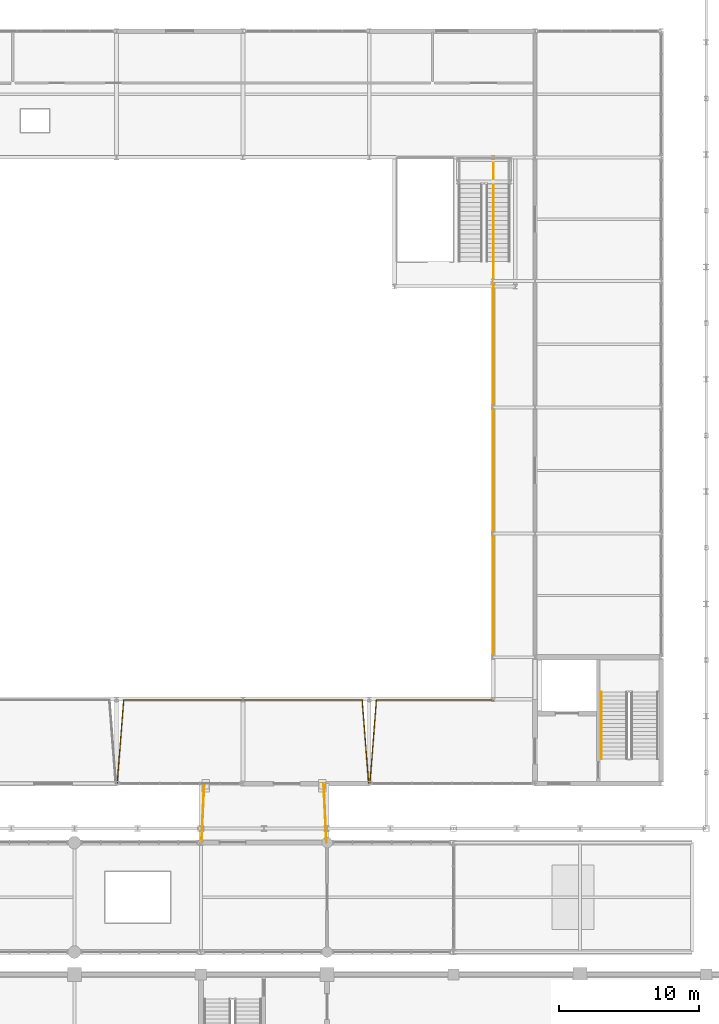
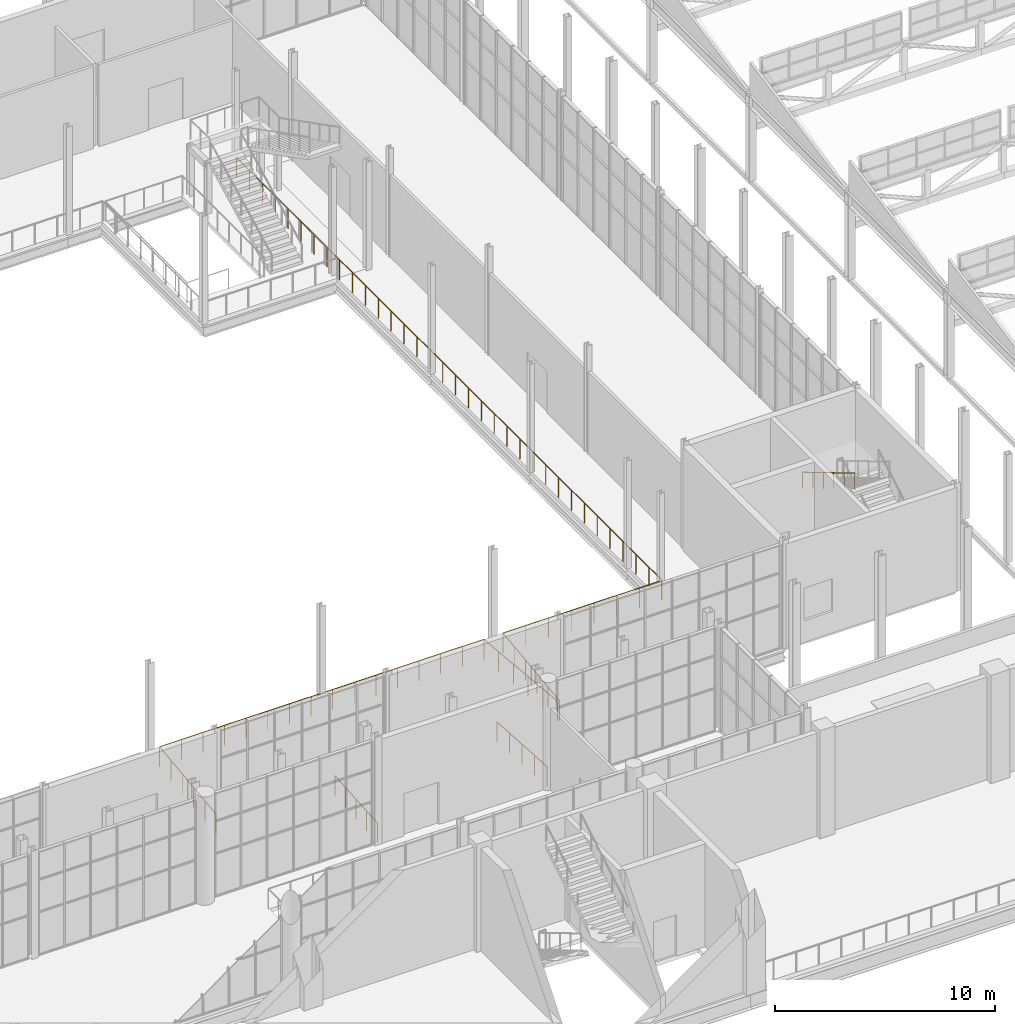
# One storey, part 156 of 159: 6 railings.
"""IFC4 building model written with IfcOpenShell, lengths in metres."""

from ifc_helpers import new_model, si_unit, direction, frame, origin, origin_2d, place, context, subcontext, project, spatial, circle, extrude, material, type_object, element, save


model = new_model("IFC4")

# Units and contexts
model_context = context("Model", 3, precision=1e-05, world=origin(), true_north=direction((0.0, 1.0)))
body_context = subcontext(model_context, "Body", "Model", "MODEL_VIEW")
ifc_project = project(units=[si_unit("LENGTHUNIT", "METRE"), si_unit("AREAUNIT", "SQUARE_METRE"), si_unit("VOLUMEUNIT", "CUBIC_METRE"), si_unit("PLANEANGLEUNIT", "RADIAN"), si_unit("MASSUNIT", "GRAM", prefix="KILO")], contexts=[model_context])

# Site, building, storey
site_placement = place(None, origin())
site = spatial("IfcSite", under=ifc_project, at=site_placement, CompositionType="ELEMENT")
building_placement = place(site_placement, origin())
building = spatial("IfcBuilding", under=site, at=building_placement, Name="Cazmaro Siding Exhibition Halls", CompositionType="ELEMENT")
storey_placement = place(building_placement, frame((0.0, 0.0, 6.0)))
storey = spatial("IfcBuildingStorey", under=building, at=storey_placement, Name="L01", CompositionType="ELEMENT", Elevation=6.0)

# Railings
ifc_material_1 = material(Name="Laminated Glass and Brushed Stainless Steel Balustrade", Category="steel")
railing_type_1 = type_object("IfcRailingType", Name="RL-BAL-01", PredefinedType="BALUSTRADE", material=ifc_material_1)
railing_1_placement = place(storey_placement, frame((135.050048828125, 63.0, 0.0)))
element("IfcRailing", 1, at=railing_1_placement, inside=storey, type_object=railing_type_1, Name="Bridge SB-02 West Guard L01 RL-BAL-01 RL-G021", PredefinedType="BALUSTRADE", context=body_context, shape_type="SweptSolid", body=[
    extrude(circle(Radius=0.02392578125, at=origin_2d()), frame((0.0, 0.0, 1.09619140625), z_axis=(0.047554114695, 0.998868663126, 0.0), x_axis=(-0.998868663126, 0.047554114695, 0.0)), (0.0, 0.0, 1.0), 4.20458984375),
    extrude(circle(Radius=0.02099609375, at=origin_2d()), origin(), (0.0, 0.0, 1.0), 1.072021484375),
    extrude(circle(Radius=0.02099609375, at=origin_2d()), frame((0.050048828125, 1.050048828125, 0.0)), (0.0, 0.0, 1.0), 1.072021484375),
    extrude(circle(Radius=0.02099609375, at=origin_2d()), frame((0.10009765625, 2.10009765625, 0.0)), (0.0, 0.0, 1.0), 1.072021484375),
    extrude(circle(Radius=0.02099609375, at=origin_2d()), frame((0.14990234375, 3.14990234375, 0.0)), (0.0, 0.0, 1.0), 1.072021484375),
    extrude(circle(Radius=0.02099609375, at=origin_2d()), frame((0.199951171875, 4.199951171875, 0.0)), (0.0, 0.0, 1.0), 1.072021484375),
])
railing_2_placement = place(storey_placement, frame((143.949951171875, 63.0, 0.0)))
element("IfcRailing", 2, at=railing_2_placement, inside=storey, type_object=railing_type_1, Name="Bridge SB-02 East Guard L01 RL-BAL-01 RL-G022", PredefinedType="BALUSTRADE", context=body_context, shape_type="SweptSolid", body=[
    extrude(circle(Radius=0.02392578125, at=origin_2d()), frame((0.0, 0.0, 1.09619140625), z_axis=(-0.047554114695, 0.998868663126, 0.0), x_axis=(-0.998868663126, -0.047554114695, 0.0)), (0.0, 0.0, 1.0), 4.20458984375),
    extrude(circle(Radius=0.02099609375, at=origin_2d()), origin(), (0.0, 0.0, 1.0), 1.072021484375),
    extrude(circle(Radius=0.02099609375, at=origin_2d()), frame((-0.050048828125, 1.050048828125, 0.0)), (0.0, 0.0, 1.0), 1.072021484375),
    extrude(circle(Radius=0.02099609375, at=origin_2d()), frame((-0.10009765625, 2.10009765625, 0.0)), (0.0, 0.0, 1.0), 1.072021484375),
    extrude(circle(Radius=0.02099609375, at=origin_2d()), frame((-0.14990234375, 3.14990234375, 0.0)), (0.0, 0.0, 1.0), 1.072021484375),
    extrude(circle(Radius=0.02099609375, at=origin_2d()), frame((-0.199951171875, 4.199951171875, 0.0)), (0.0, 0.0, 1.0), 1.072021484375),
])
ifc_material_2 = material(Name="Interior Laminated Glass and Brushed Stainless Steel Balustrade", Category="steel")
railing_type_2 = type_object("IfcRailingType", Name="RL-BAL-02", PredefinedType="BALUSTRADE", material=ifc_material_2)
railing_3_placement = place(storey_placement, frame((155.85009765625, 73.199951171875, 0.0)))
element("IfcRailing", 3, at=railing_3_placement, inside=storey, type_object=railing_type_2, Name="Hall A East Gallery Overlook Guard L01 RL-BAL-02 RL-G009", PredefinedType="BALUSTRADE", context=body_context, shape_type="SweptSolid", body=[
    extrude(circle(Radius=0.02392578125, at=origin_2d()), frame((0.0, 0.0, 1.09619140625), z_axis=(0.0, 1.0, 0.0), x_axis=(-1.0, 0.0, 0.0)), (0.0, 0.0, 1.0), 38.60009765625),
    extrude(circle(Radius=0.02099609375, at=origin_2d()), origin(), (0.0, 0.0, 1.0), 1.072021484375),
    extrude(circle(Radius=0.02099609375, at=origin_2d()), frame((0.0, 1.169677734375, 0.0)), (0.0, 0.0, 1.0), 1.072021484375),
    extrude(circle(Radius=0.02099609375, at=origin_2d()), frame((0.0, 2.33935546875, 0.0)), (0.0, 0.0, 1.0), 1.072021484375),
    extrude(circle(Radius=0.02099609375, at=origin_2d()), frame((0.0, 3.509033203125, 0.0)), (0.0, 0.0, 1.0), 1.072021484375),
    extrude(circle(Radius=0.02099609375, at=origin_2d()), frame((0.0, 4.6787109375, 0.0)), (0.0, 0.0, 1.0), 1.072021484375),
    extrude(circle(Radius=0.02099609375, at=origin_2d()), frame((0.0, 5.848388671875, 0.0)), (0.0, 0.0, 1.0), 1.072021484375),
    extrude(circle(Radius=0.02099609375, at=origin_2d()), frame((0.0, 7.018310546875, 0.0)), (0.0, 0.0, 1.0), 1.072021484375),
    extrude(circle(Radius=0.02099609375, at=origin_2d()), frame((0.0, 8.18798828125, 0.0)), (0.0, 0.0, 1.0), 1.072021484375),
    extrude(circle(Radius=0.02099609375, at=origin_2d()), frame((0.0, 9.357666015625, 0.0)), (0.0, 0.0, 1.0), 1.072021484375),
    extrude(circle(Radius=0.02099609375, at=origin_2d()), frame((0.0, 10.52734375, 0.0)), (0.0, 0.0, 1.0), 1.072021484375),
    extrude(circle(Radius=0.02099609375, at=origin_2d()), frame((0.0, 11.697021484375, 0.0)), (0.0, 0.0, 1.0), 1.072021484375),
    extrude(circle(Radius=0.02099609375, at=origin_2d()), frame((0.0, 12.86669921875, 0.0)), (0.0, 0.0, 1.0), 1.072021484375),
    extrude(circle(Radius=0.02099609375, at=origin_2d()), frame((0.0, 14.036376953125, 0.0)), (0.0, 0.0, 1.0), 1.072021484375),
    extrude(circle(Radius=0.02099609375, at=origin_2d()), frame((0.0, 15.2060546875, 0.0)), (0.0, 0.0, 1.0), 1.072021484375),
    extrude(circle(Radius=0.02099609375, at=origin_2d()), frame((0.0, 16.375732421875, 0.0)), (0.0, 0.0, 1.0), 1.072021484375),
    extrude(circle(Radius=0.02099609375, at=origin_2d()), frame((0.0, 17.54541015625, 0.0)), (0.0, 0.0, 1.0), 1.072021484375),
    extrude(circle(Radius=0.02099609375, at=origin_2d()), frame((0.0, 18.715087890625, 0.0)), (0.0, 0.0, 1.0), 1.072021484375),
    extrude(circle(Radius=0.02099609375, at=origin_2d()), frame((0.0, 19.885009765625, 0.0)), (0.0, 0.0, 1.0), 1.072021484375),
    extrude(circle(Radius=0.02099609375, at=origin_2d()), frame((0.0, 21.0546875, 0.0)), (0.0, 0.0, 1.0), 1.072021484375),
    extrude(circle(Radius=0.02099609375, at=origin_2d()), frame((0.0, 22.224365234375, 0.0)), (0.0, 0.0, 1.0), 1.072021484375),
    extrude(circle(Radius=0.02099609375, at=origin_2d()), frame((0.0, 23.39404296875, 0.0)), (0.0, 0.0, 1.0), 1.072021484375),
    extrude(circle(Radius=0.02099609375, at=origin_2d()), frame((0.0, 24.563720703125, 0.0)), (0.0, 0.0, 1.0), 1.072021484375),
    extrude(circle(Radius=0.02099609375, at=origin_2d()), frame((0.0, 25.7333984375, 0.0)), (0.0, 0.0, 1.0), 1.072021484375),
    extrude(circle(Radius=0.02099609375, at=origin_2d()), frame((0.0, 26.903076171875, 0.0)), (0.0, 0.0, 1.0), 1.072021484375),
    extrude(circle(Radius=0.02099609375, at=origin_2d()), frame((0.0, 28.07275390625, 0.0)), (0.0, 0.0, 1.0), 1.072021484375),
    extrude(circle(Radius=0.02099609375, at=origin_2d()), frame((0.0, 29.242431640625, 0.0)), (0.0, 0.0, 1.0), 1.072021484375),
    extrude(circle(Radius=0.02099609375, at=origin_2d()), frame((0.0, 30.412109375, 0.0)), (0.0, 0.0, 1.0), 1.072021484375),
    extrude(circle(Radius=0.02099609375, at=origin_2d()), frame((0.0, 31.581787109375, 0.0)), (0.0, 0.0, 1.0), 1.072021484375),
    extrude(circle(Radius=0.02099609375, at=origin_2d()), frame((0.0, 32.751708984375, 0.0)), (0.0, 0.0, 1.0), 1.072021484375),
    extrude(circle(Radius=0.02099609375, at=origin_2d()), frame((0.0, 33.92138671875, 0.0)), (0.0, 0.0, 1.0), 1.072021484375),
    extrude(circle(Radius=0.02099609375, at=origin_2d()), frame((0.0, 35.091064453125, 0.0)), (0.0, 0.0, 1.0), 1.072021484375),
    extrude(circle(Radius=0.02099609375, at=origin_2d()), frame((0.0, 36.2607421875, 0.0)), (0.0, 0.0, 1.0), 1.072021484375),
    extrude(circle(Radius=0.02099609375, at=origin_2d()), frame((0.0, 37.430419921875, 0.0)), (0.0, 0.0, 1.0), 1.072021484375),
    extrude(circle(Radius=0.02099609375, at=origin_2d()), frame((0.0, 38.60009765625, 0.0)), (0.0, 0.0, 1.0), 1.072021484375),
])
railing_4_placement = place(storey_placement, frame((129.050048828125, 67.25, 0.0)))
element("IfcRailing", 4, at=railing_4_placement, inside=storey, type_object=railing_type_2, Name="Hall A South Catwalk Guard L01 RL-BAL-02 RL-G015", PredefinedType="BALUSTRADE", context=body_context, shape_type="SweptSolid", body=[
    extrude(circle(Radius=0.02392578125, at=origin_2d()), frame((0.0, 0.0, 1.09619140625), z_axis=(0.076043350844, 0.997104512472, 0.0), x_axis=(-0.997104512472, 0.076043350844, 0.0)), (0.0, 0.0, 1.0), 5.9169921875),
    extrude(circle(Radius=0.02392578125, at=origin_2d()), frame((0.449951171875, 5.89990234375, 1.09619140625), z_axis=(1.0, 0.0, 0.0), x_axis=(0.0, 1.0, 0.0)), (0.0, 0.0, 1.0), 17.0),
    extrude(circle(Radius=0.02392578125, at=origin_2d()), frame((17.449951171875, 5.89990234375, 1.09619140625), z_axis=(0.076043350844, -0.997104512472, 0.0), x_axis=(0.997104512472, 0.076043350844, 0.0)), (0.0, 0.0, 1.0), 5.9169921875),
    extrude(circle(Radius=0.02099609375, at=origin_2d()), origin(), (0.0, 0.0, 1.0), 1.072021484375),
    extrude(circle(Radius=0.02099609375, at=origin_2d()), frame((0.090087890625, 1.179931640625, 0.0)), (0.0, 0.0, 1.0), 1.072021484375),
    extrude(circle(Radius=0.02099609375, at=origin_2d()), frame((0.179931640625, 2.35986328125, 0.0)), (0.0, 0.0, 1.0), 1.072021484375),
    extrude(circle(Radius=0.02099609375, at=origin_2d()), frame((0.27001953125, 3.5400390625, 0.0)), (0.0, 0.0, 1.0), 1.072021484375),
    extrude(circle(Radius=0.02099609375, at=origin_2d()), frame((0.35986328125, 4.719970703125, 0.0)), (0.0, 0.0, 1.0), 1.072021484375),
    extrude(circle(Radius=0.02099609375, at=origin_2d()), frame((0.449951171875, 5.89990234375, 0.0)), (0.0, 0.0, 1.0), 1.072021484375),
    extrude(circle(Radius=0.02099609375, at=origin_2d()), frame((1.583251953125, 5.89990234375, 0.0)), (0.0, 0.0, 1.0), 1.072021484375),
    extrude(circle(Radius=0.02099609375, at=origin_2d()), frame((2.716552734375, 5.89990234375, 0.0)), (0.0, 0.0, 1.0), 1.072021484375),
    extrude(circle(Radius=0.02099609375, at=origin_2d()), frame((3.849853515625, 5.89990234375, 0.0)), (0.0, 0.0, 1.0), 1.072021484375),
    extrude(circle(Radius=0.02099609375, at=origin_2d()), frame((4.9833984375, 5.89990234375, 0.0)), (0.0, 0.0, 1.0), 1.072021484375),
    extrude(circle(Radius=0.02099609375, at=origin_2d()), frame((6.11669921875, 5.89990234375, 0.0)), (0.0, 0.0, 1.0), 1.072021484375),
    extrude(circle(Radius=0.02099609375, at=origin_2d()), frame((7.25, 5.89990234375, 0.0)), (0.0, 0.0, 1.0), 1.072021484375),
    extrude(circle(Radius=0.02099609375, at=origin_2d()), frame((8.38330078125, 5.89990234375, 0.0)), (0.0, 0.0, 1.0), 1.072021484375),
    extrude(circle(Radius=0.02099609375, at=origin_2d()), frame((9.5166015625, 5.89990234375, 0.0)), (0.0, 0.0, 1.0), 1.072021484375),
    extrude(circle(Radius=0.02099609375, at=origin_2d()), frame((10.64990234375, 5.89990234375, 0.0)), (0.0, 0.0, 1.0), 1.072021484375),
    extrude(circle(Radius=0.02099609375, at=origin_2d()), frame((11.783203125, 5.89990234375, 0.0)), (0.0, 0.0, 1.0), 1.072021484375),
    extrude(circle(Radius=0.02099609375, at=origin_2d()), frame((12.91650390625, 5.89990234375, 0.0)), (0.0, 0.0, 1.0), 1.072021484375),
    extrude(circle(Radius=0.02099609375, at=origin_2d()), frame((14.050048828125, 5.89990234375, 0.0)), (0.0, 0.0, 1.0), 1.072021484375),
    extrude(circle(Radius=0.02099609375, at=origin_2d()), frame((15.183349609375, 5.89990234375, 0.0)), (0.0, 0.0, 1.0), 1.072021484375),
    extrude(circle(Radius=0.02099609375, at=origin_2d()), frame((16.316650390625, 5.89990234375, 0.0)), (0.0, 0.0, 1.0), 1.072021484375),
    extrude(circle(Radius=0.02099609375, at=origin_2d()), frame((17.449951171875, 5.89990234375, 0.0)), (0.0, 0.0, 1.0), 1.072021484375),
    extrude(circle(Radius=0.02099609375, at=origin_2d()), frame((17.5400390625, 4.719970703125, 0.0)), (0.0, 0.0, 1.0), 1.072021484375),
    extrude(circle(Radius=0.02099609375, at=origin_2d()), frame((17.6298828125, 3.5400390625, 0.0)), (0.0, 0.0, 1.0), 1.072021484375),
    extrude(circle(Radius=0.02099609375, at=origin_2d()), frame((17.719970703125, 2.35986328125, 0.0)), (0.0, 0.0, 1.0), 1.072021484375),
    extrude(circle(Radius=0.02099609375, at=origin_2d()), frame((17.809814453125, 1.179931640625, 0.0)), (0.0, 0.0, 1.0), 1.072021484375),
    extrude(circle(Radius=0.02099609375, at=origin_2d()), frame((17.89990234375, 0.0, 0.0)), (0.0, 0.0, 1.0), 1.072021484375),
])
railing_5_placement = place(storey_placement, frame((147.050048828125, 67.25, 0.0)))
element("IfcRailing", 5, at=railing_5_placement, inside=storey, type_object=railing_type_2, Name="Hall A South Catwalk Guard L01 RL-BAL-02 RL-G016", PredefinedType="BALUSTRADE", context=body_context, shape_type="SweptSolid", body=[
    extrude(circle(Radius=0.02392578125, at=origin_2d()), frame((0.0, 0.0, 1.09619140625), z_axis=(0.076043350844, 0.997104512472, 0.0), x_axis=(-0.997104512472, 0.076043350844, 0.0)), (0.0, 0.0, 1.0), 5.9169921875),
    extrude(circle(Radius=0.02392578125, at=origin_2d()), frame((0.449951171875, 5.89990234375, 1.09619140625), z_axis=(1.0, 0.0, 0.0), x_axis=(0.0, 1.0, 0.0)), (0.0, 0.0, 1.0), 8.35009765625),
    extrude(circle(Radius=0.02099609375, at=origin_2d()), origin(), (0.0, 0.0, 1.0), 1.072021484375),
    extrude(circle(Radius=0.02099609375, at=origin_2d()), frame((0.090087890625, 1.179931640625, 0.0)), (0.0, 0.0, 1.0), 1.072021484375),
    extrude(circle(Radius=0.02099609375, at=origin_2d()), frame((0.179931640625, 2.35986328125, 0.0)), (0.0, 0.0, 1.0), 1.072021484375),
    extrude(circle(Radius=0.02099609375, at=origin_2d()), frame((0.27001953125, 3.5400390625, 0.0)), (0.0, 0.0, 1.0), 1.072021484375),
    extrude(circle(Radius=0.02099609375, at=origin_2d()), frame((0.35986328125, 4.719970703125, 0.0)), (0.0, 0.0, 1.0), 1.072021484375),
    extrude(circle(Radius=0.02099609375, at=origin_2d()), frame((0.449951171875, 5.89990234375, 0.0)), (0.0, 0.0, 1.0), 1.072021484375),
    extrude(circle(Radius=0.02099609375, at=origin_2d()), frame((1.642822265625, 5.89990234375, 0.0)), (0.0, 0.0, 1.0), 1.072021484375),
    extrude(circle(Radius=0.02099609375, at=origin_2d()), frame((2.835693359375, 5.89990234375, 0.0)), (0.0, 0.0, 1.0), 1.072021484375),
    extrude(circle(Radius=0.02099609375, at=origin_2d()), frame((4.028564453125, 5.89990234375, 0.0)), (0.0, 0.0, 1.0), 1.072021484375),
    extrude(circle(Radius=0.02099609375, at=origin_2d()), frame((5.221435546875, 5.89990234375, 0.0)), (0.0, 0.0, 1.0), 1.072021484375),
    extrude(circle(Radius=0.02099609375, at=origin_2d()), frame((6.414306640625, 5.89990234375, 0.0)), (0.0, 0.0, 1.0), 1.072021484375),
    extrude(circle(Radius=0.02099609375, at=origin_2d()), frame((7.607177734375, 5.89990234375, 0.0)), (0.0, 0.0, 1.0), 1.072021484375),
    extrude(circle(Radius=0.02099609375, at=origin_2d()), frame((8.800048828125, 5.89990234375, 0.0)), (0.0, 0.0, 1.0), 1.072021484375),
])
ifc_material_3 = material(Name="Brushed Stainless Steel Tubular Handrail", Category="steel")
railing_type_3 = type_object("IfcRailingType", Name="RL-HR-01", PredefinedType="HANDRAIL", material=ifc_material_3)
railing_6_placement = place(storey_placement, frame((163.52490234375, 73.719970703125, 3.1669921875)))
element("IfcRailing", 6, at=railing_6_placement, inside=storey, type_object=railing_type_3, Name="ST-04 Flight 2 Handrail 1", PredefinedType="HANDRAIL", context=body_context, shape_type="SweptSolid", body=[
    extrude(circle(Radius=0.02392578125, at=origin_2d()), frame((0.0, 0.0, 0.89599609375), z_axis=(0.0, -0.859319172962, 0.511439692417), x_axis=(1.0, 0.0, 0.0)), (0.0, 0.0, 1.0), 5.539306640625),
    extrude(circle(Radius=0.02099609375, at=origin_2d()), origin(), (0.0, 0.0, 1.0), 0.871826171875),
    extrude(circle(Radius=0.02099609375, at=origin_2d()), frame((0.0, -0.951904296875, 0.566650390625)), (0.0, 0.0, 1.0), 0.871826171875),
    extrude(circle(Radius=0.02099609375, at=origin_2d()), frame((0.0, -1.904052734375, 1.13330078125)), (0.0, 0.0, 1.0), 0.871826171875),
    extrude(circle(Radius=0.02099609375, at=origin_2d()), frame((0.0, -2.85595703125, 1.69970703125)), (0.0, 0.0, 1.0), 0.871826171875),
    extrude(circle(Radius=0.02099609375, at=origin_2d()), frame((0.0, -3.80810546875, 2.266357421875)), (0.0, 0.0, 1.0), 0.871826171875),
    extrude(circle(Radius=0.02099609375, at=origin_2d()), frame((0.0, -4.760009765625, 2.8330078125)), (0.0, 0.0, 1.0), 0.871826171875),
])

save(model, "model.ifc")
